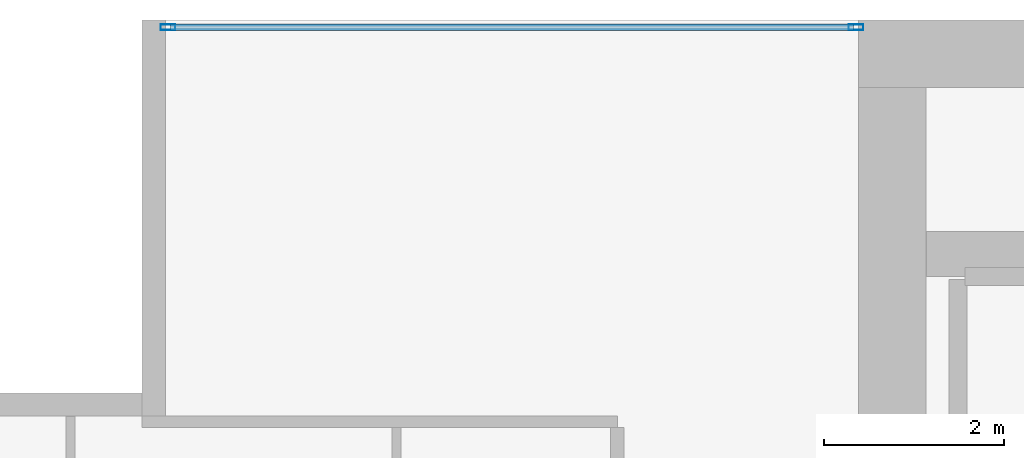
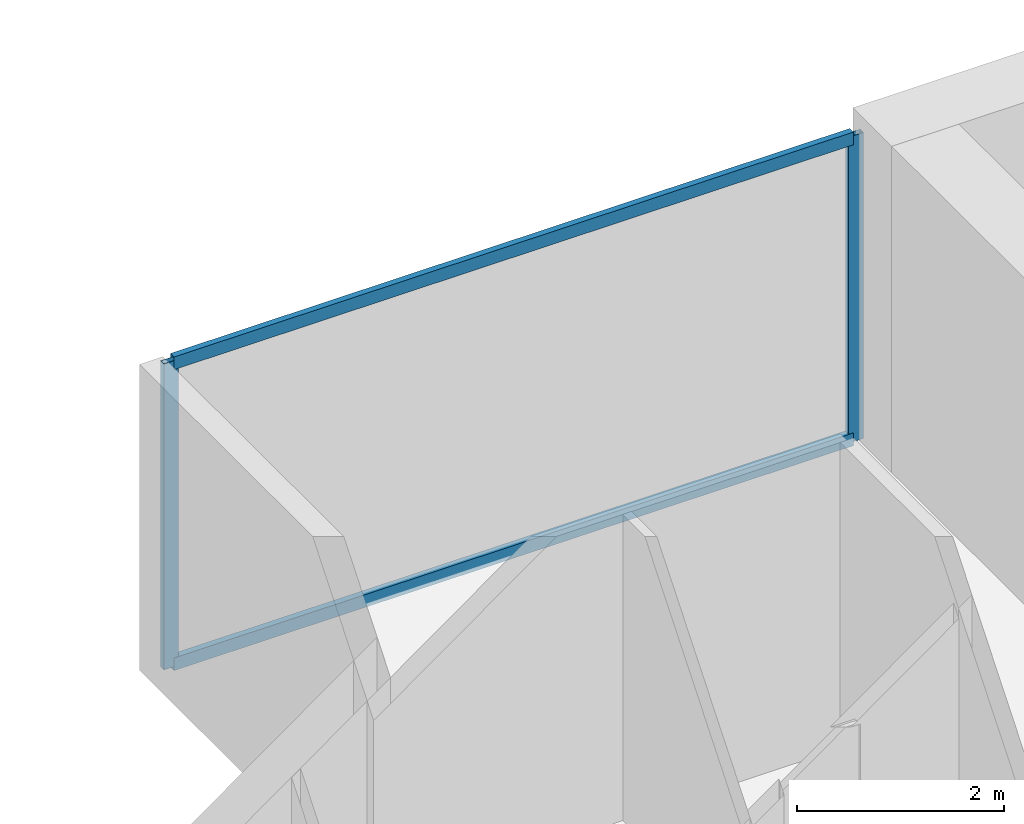
# One storey, part 22 of 32: 4 members, 1 element without a shape of its own.
"""IFC4 building model written with IfcOpenShell, lengths in metres."""

from ifc_helpers import new_model, si_unit, direction, frame, origin, origin_2d, place, context, subcontext, project, spatial, hollow_rectangle, extrude, material, layer, layer_set, material_profile, profile_set, type_object, element, aggregate, save


model = new_model("IFC4")

# Units and contexts
model_context = context("Model", 3, precision=1e-05, world=origin(), true_north=direction((0.0, 1.0)))
body_context = subcontext(model_context, "Body", "Model", "MODEL_VIEW")
ifc_project = project(units=[si_unit("LENGTHUNIT", "METRE"), si_unit("AREAUNIT", "SQUARE_METRE"), si_unit("VOLUMEUNIT", "CUBIC_METRE"), si_unit("PLANEANGLEUNIT", "RADIAN"), si_unit("MASSUNIT", "GRAM", prefix="KILO")], contexts=[model_context])

# Site, building, storey
site_placement = place(None, origin())
site = spatial("IfcSite", under=ifc_project, at=site_placement, CompositionType="ELEMENT")
building_placement = place(site_placement, origin())
building = spatial("IfcBuilding", under=site, at=building_placement, Name="Maruvema Waterfront Hotel and Observation Tower", CompositionType="ELEMENT")
storey_placement = place(building_placement, frame((0.0, 0.0, 165.89990234375)))
storey = spatial("IfcBuildingStorey", under=building, at=storey_placement, Name="L40", CompositionType="ELEMENT", Elevation=165.89990234375)

# Curtain wall, members
ifc_material_1 = material(Name="Anodised bronze aluminium and solar-control low-E IGU", Category="aluminium")
ifc_layer = layer(ifc_material_1, 0.159912109375, Name="Zone 2 Amber Inner Thermal Curtain Wall System CW-03")
ifc_layer_set = layer_set([ifc_layer], Name="Anodised bronze aluminium and solar-control low-E IGU")
curtain_wall_type = type_object("IfcCurtainWallType", Name="Zone 2 Amber Inner Thermal Curtain Wall System CW-03", PredefinedType="USERDEFINED", material=ifc_layer_set)
curtain_wall_placement = place(storey_placement, origin())
curtain_wall = element("IfcCurtainWall", 1, at=curtain_wall_placement, inside=storey, type_object=curtain_wall_type, Name="L40 Curtain Wall CW-L40-NW", ObjectType="UNITISED CURTAIN WALL", PredefinedType="USERDEFINED")
ifc_material_2 = material(Name="Anodised architectural bronze aluminium", Category="aluminium")
ifc_material_profile_1 = material_profile(ifc_material_2, hollow_rectangle(XDim=0.070068359375, YDim=0.14990234375, WallThickness=0.00390625, at=origin_2d()), Name="ALU-T70x150")
ifc_profile_set_1 = profile_set([ifc_material_profile_1], Name="Anodised architectural bronze aluminium")
member_type_1 = type_object("IfcMemberType", Name="Curtain Wall Horizontal Transom ALU-T70x150", PredefinedType="USERDEFINED", material=ifc_profile_set_1)
member_1_placement = place(storey_placement, frame((25.139892578125, 53.919921875, 0.030029296875), z_axis=(-1.0, 0.0, 0.0), x_axis=(0.0, -1.0, 0.0)))
member_1 = element("IfcMember", 2, at=member_1_placement, type_object=member_type_1, Name="CW-03 transom 1.1", ObjectType="TRANSOM", PredefinedType="USERDEFINED", context=body_context, shape_type="SweptSolid", body=[
    extrude(hollow_rectangle(XDim=0.070068359375, YDim=0.14990234375, WallThickness=0.00390625, at=origin_2d()), origin(), (0.0, 0.0, 1.0), 7.579833984375),
])
member_2_placement = place(storey_placement, frame((25.139892578125, 53.919921875, 3.580078125), z_axis=(-1.0, 0.0, 0.0), x_axis=(0.0, -1.0, 0.0)))
member_2 = element("IfcMember", 3, at=member_2_placement, type_object=member_type_1, Name="CW-03 transom 1.2", ObjectType="TRANSOM", PredefinedType="USERDEFINED", context=body_context, shape_type="SweptSolid", body=[
    extrude(hollow_rectangle(XDim=0.070068359375, YDim=0.14990234375, WallThickness=0.00390625, at=origin_2d()), origin(), (0.0, 0.0, 1.0), 7.579833984375),
])
ifc_material_3 = material(Name="Anodised architectural bronze aluminium", Category="aluminium")
ifc_material_profile_2 = material_profile(ifc_material_3, hollow_rectangle(XDim=0.06494140625, YDim=0.1650390625, WallThickness=0.00390625, at=origin_2d()), Name="ALU-M65x165")
ifc_profile_set_2 = profile_set([ifc_material_profile_2], Name="Anodised architectural bronze aluminium")
member_type_2 = type_object("IfcMemberType", Name="Curtain Wall Primary Mullion ALU-M65x165", PredefinedType="MULLION", material=ifc_profile_set_2)
member_3_placement = place(storey_placement, frame((25.169921875, 53.919921875, 0.0), z_axis=(0.0, 0.0, 1.0), x_axis=(0.0, -1.0, 0.0)))
member_3 = element("IfcMember", 4, at=member_3_placement, type_object=member_type_2, Name="CW-03 mullion 1", PredefinedType="MULLION", context=body_context, shape_type="SweptSolid", body=[
    extrude(hollow_rectangle(XDim=0.06494140625, YDim=0.1650390625, WallThickness=0.00390625, at=origin_2d()), origin(), (0.0, 0.0, 1.0), 3.610107421875),
])
member_4_placement = place(storey_placement, frame((17.530029296875, 53.919921875, 0.0), z_axis=(0.0, 0.0, 1.0), x_axis=(0.0, -1.0, 0.0)))
member_4 = element("IfcMember", 5, at=member_4_placement, type_object=member_type_2, Name="CW-03 mullion 2", PredefinedType="MULLION", context=body_context, shape_type="SweptSolid", body=[
    extrude(hollow_rectangle(XDim=0.06494140625, YDim=0.1650390625, WallThickness=0.00390625, at=origin_2d()), origin(), (0.0, 0.0, 1.0), 3.610107421875),
])
aggregate(curtain_wall, [member_3, member_4, member_1, member_2])

save(model, "model.ifc")
